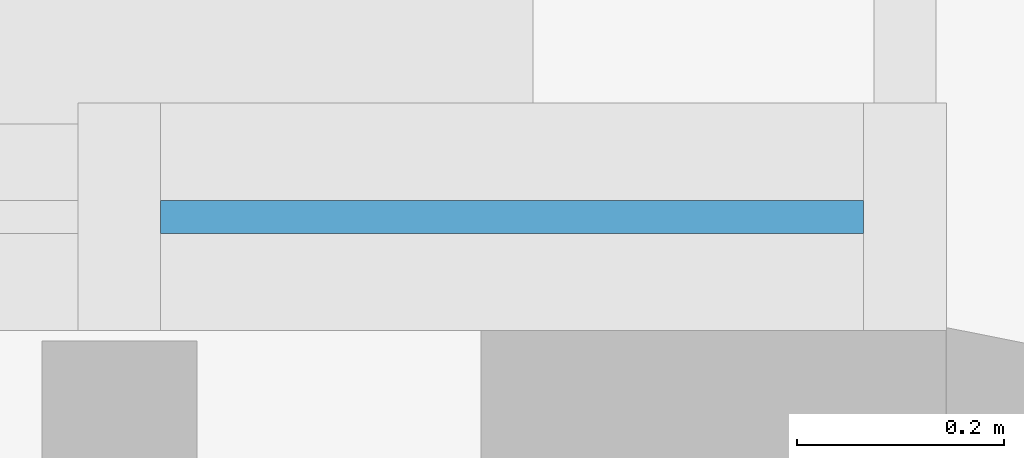
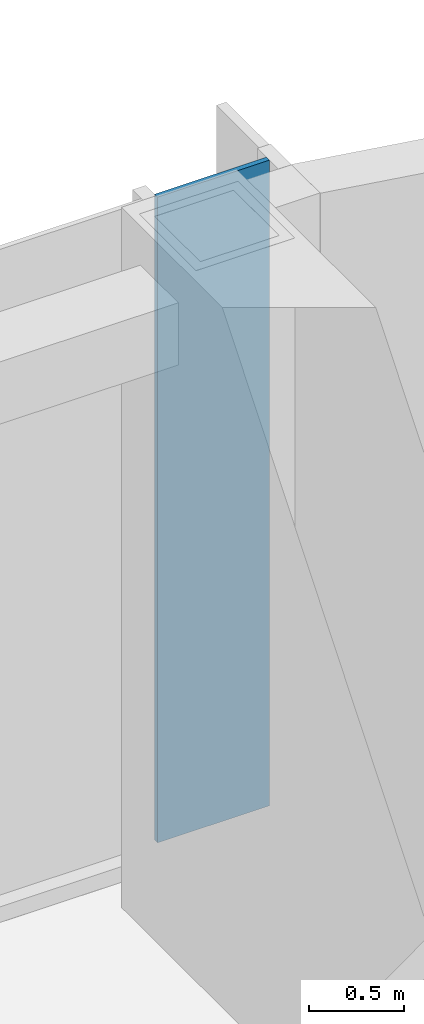
# One storey, part 13 of 35: 1 plate, 1 element without a shape of its own.
"""IFC4 building model written with IfcOpenShell, lengths in metres."""

from ifc_helpers import new_model, si_unit, direction, frame, origin, origin_2d, place, context, subcontext, project, spatial, rectangle, extrude, material, layer, layer_set, type_object, element, aggregate, save


model = new_model("IFC4")

# Units and contexts
model_context = context("Model", 3, precision=1e-05, world=origin(), true_north=direction((0.0, 1.0)))
body_context = subcontext(model_context, "Body", "Model", "MODEL_VIEW")
ifc_project = project(units=[si_unit("LENGTHUNIT", "METRE"), si_unit("AREAUNIT", "SQUARE_METRE"), si_unit("VOLUMEUNIT", "CUBIC_METRE"), si_unit("PLANEANGLEUNIT", "RADIAN"), si_unit("MASSUNIT", "GRAM", prefix="KILO")], contexts=[model_context])

# Site, building, storey
site_placement = place(None, origin())
site = spatial("IfcSite", under=ifc_project, at=site_placement, CompositionType="ELEMENT")
building_placement = place(site_placement, origin())
building = spatial("IfcBuilding", under=site, at=building_placement, Name="Orbita Commons", CompositionType="ELEMENT")
storey_placement = place(building_placement, frame((0.0, 0.0, 208.300048828125)))
storey = spatial("IfcBuildingStorey", under=building, at=storey_placement, Name="L51", CompositionType="ELEMENT", Elevation=208.300048828125)

# Curtain wall, plate
ifc_material_1 = material(Name="Anodised aluminium frame, pale silver", Category="aluminium")
curtain_wall_type = type_object("IfcCurtainWallType", Name="Unitised curtain wall CW-S, full-height", PredefinedType="NOTDEFINED", material=ifc_material_1)
curtain_wall_placement = place(storey_placement, origin())
curtain_wall = element("IfcCurtainWall", 1, at=curtain_wall_placement, inside=storey, type_object=curtain_wall_type, Name="Curtain wall north L51", PredefinedType="NOTDEFINED")
ifc_material_2 = material(Name="Low-iron glass", Category="glass")
ifc_layer = layer(ifc_material_2, 0.031982421875)
ifc_layer_set = layer_set([ifc_layer], Name="Low-iron glass")
plate_type = type_object("IfcPlateType", Name="Vision panel, clear low-iron glazing 32", PredefinedType="CURTAIN_PANEL", material=ifc_layer_set)
plate_placement = place(storey_placement, frame((66.3798828125, 53.110107421875, 0.10009765625), z_axis=(0.0, 0.0, 1.0), x_axis=(-1.0, 0.0, 0.0)))
plate = element("IfcPlate", 2, at=plate_placement, type_object=plate_type, Name="Panel 1.1 CW-L51-N", PredefinedType="CURTAIN_PANEL", context=body_context, shape_type="SweptSolid", body=[
    extrude(rectangle(XDim=0.679931640625, YDim=0.031982421875, at=origin_2d()), origin(), (0.0, 0.0, 1.0), 4.14990234375),
])
aggregate(curtain_wall, [plate])

save(model, "model.ifc")
